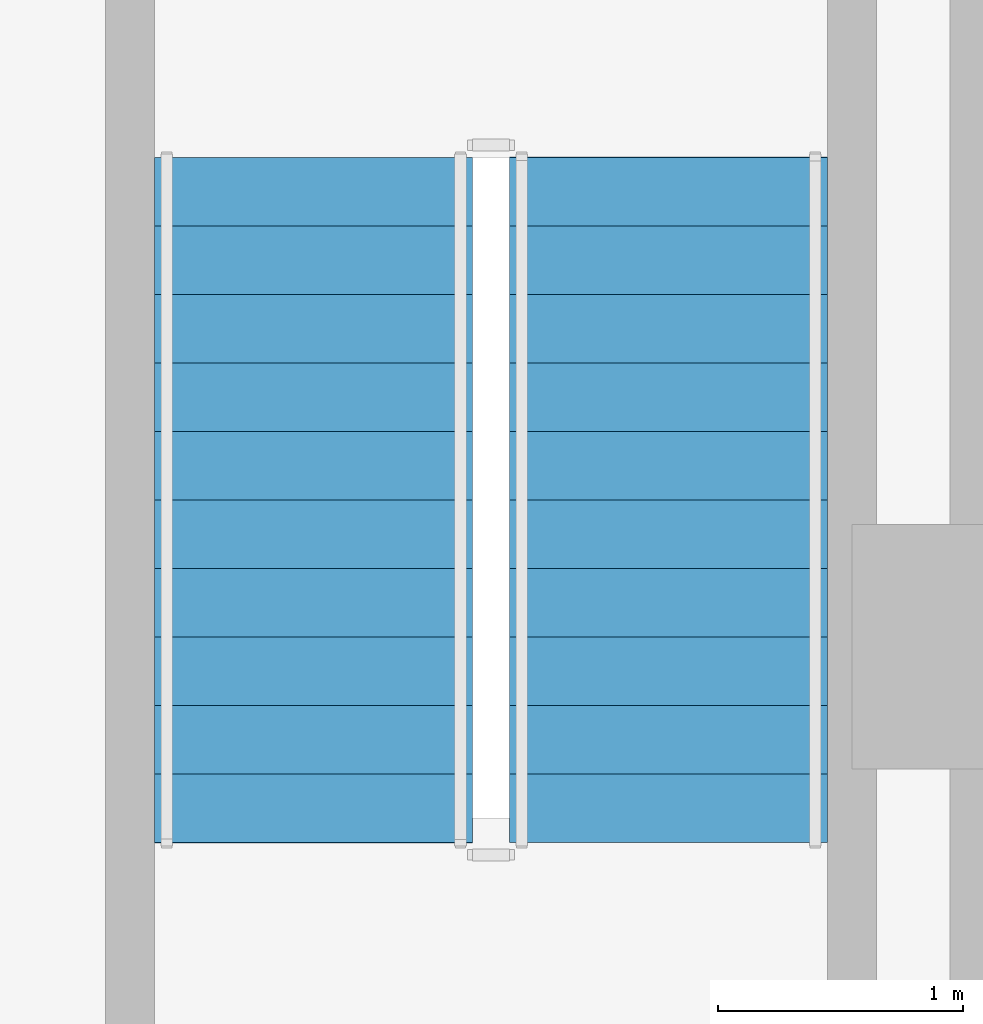
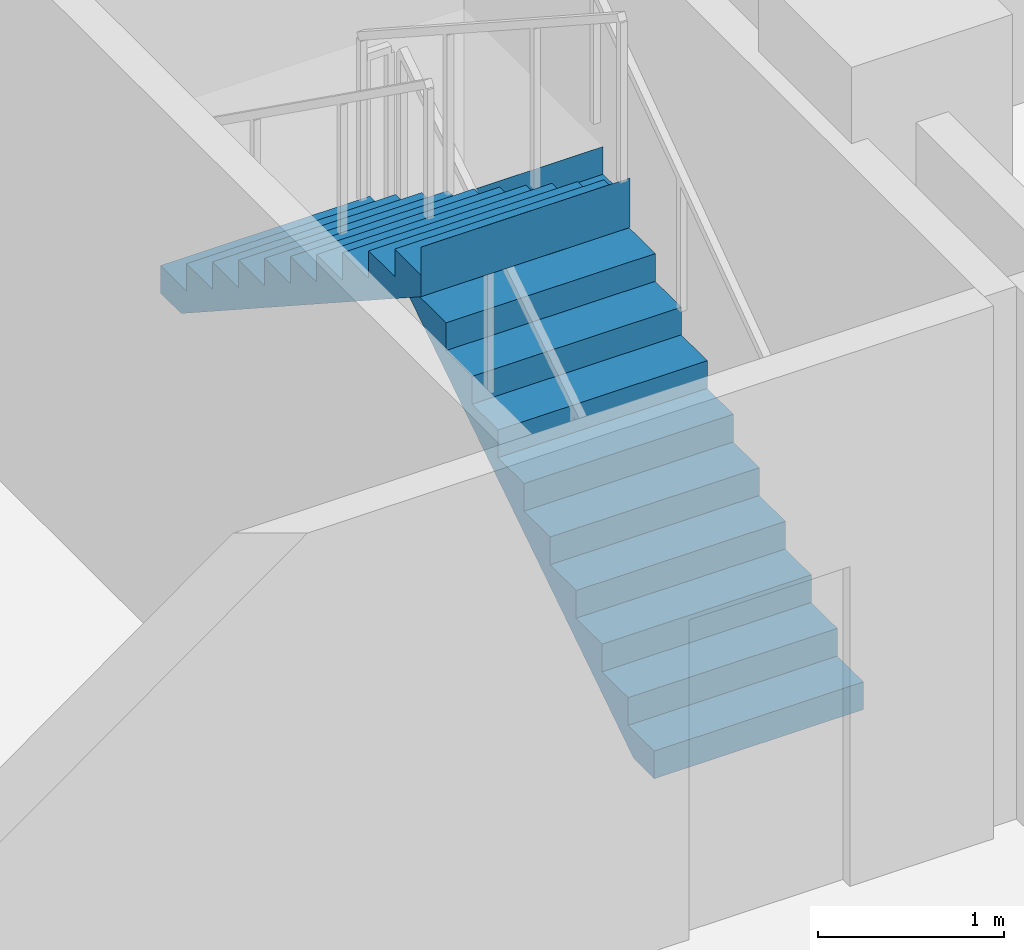
# One storey, part 38 of 45: 2 stair flights, 1 element without a shape of its own.
"""IFC4 building model written with IfcOpenShell, lengths in metres."""

from ifc_helpers import new_model, si_unit, direction, frame, origin, place, context, subcontext, project, spatial, triangles, material, type_object, element, aggregate, save


model = new_model("IFC4")

# Units and contexts
model_context = context("Model", 3, precision=1e-05, world=origin(), true_north=direction((0.0, 1.0)))
body_context = subcontext(model_context, "Body", "Model", "MODEL_VIEW")
ifc_project = project(units=[si_unit("LENGTHUNIT", "METRE"), si_unit("AREAUNIT", "SQUARE_METRE"), si_unit("VOLUMEUNIT", "CUBIC_METRE"), si_unit("PLANEANGLEUNIT", "RADIAN"), si_unit("MASSUNIT", "GRAM", prefix="KILO")], contexts=[model_context])

# Site, building, storey
site_placement = place(None, origin())
site = spatial("IfcSite", under=ifc_project, at=site_placement, CompositionType="ELEMENT")
building_placement = place(site_placement, origin())
building = spatial("IfcBuilding", under=site, at=building_placement, Name="Beryl Residences", CompositionType="ELEMENT")
storey_placement = place(building_placement, frame((0.0, 0.0, 5.0)))
storey = spatial("IfcBuildingStorey", under=building, at=storey_placement, Name="L01", CompositionType="ELEMENT", Elevation=5.0)

# Stair, stair flights
ifc_material_1 = material(Name="Concrete C40/50", Category="concrete")
stair_type = type_object("IfcStairType", Name="ST1 protected exit stair, half-turn, 1300 mm flights", PredefinedType="HALF_TURN_STAIR", material=ifc_material_1)
stair_placement = place(storey_placement, origin())
stair = element("IfcStair", 1, at=stair_placement, inside=storey, type_object=stair_type, Name="L01 Podium exit stair 2", PredefinedType="HALF_TURN_STAIR")
ifc_material_2 = material(Name="Concrete C40/50", Category="concrete")
stair_flight_type = type_object("IfcStairFlightType", Name="SF1 stair flight 1300 mm", PredefinedType="STRAIGHT", material=ifc_material_2)
stair_flight_1_placement = place(storey_placement, frame((20.35009765625, 35.199951171875, 0.0), z_axis=(0.0, 0.0, 1.0), x_axis=(0.0, 1.0, 0.0)))
stair_flight_1 = element("IfcStairFlight", 2, at=stair_flight_1_placement, type_object=stair_flight_type, Name="PS-2 flight 1", NumberOfRisers=11, NumberOfTreads=10, PredefinedType="STRAIGHT", RiserHeight=0.181818182, TreadLength=0.28, context=body_context, shape_type="Tessellation", body=[
    triangles([(0.0, -0.64990234375, 0.0), (0.0, -0.324951171875, 0.0), (0.0, 0.0, 0.0), (0.0, 0.324951171875, 0.0), (0.0, 0.64990234375, 0.0), (0.0, -0.64990234375, 0.181884765625), (0.0, -0.324951171875, 0.181884765625), (0.0, 0.0, 0.181884765625), (0.0, 0.324951171875, 0.181884765625), (0.0, 0.64990234375, 0.181884765625), (0.280029296875, -0.64990234375, 0.181884765625), (0.280029296875, -0.324951171875, 0.181884765625), (0.280029296875, 0.0, 0.181884765625), (0.280029296875, 0.324951171875, 0.181884765625), (0.280029296875, 0.64990234375, 0.181884765625), (0.280029296875, -0.64990234375, 0.363525390625), (0.280029296875, -0.324951171875, 0.363525390625), (0.280029296875, 0.0, 0.363525390625), (0.280029296875, 0.324951171875, 0.363525390625), (0.280029296875, 0.64990234375, 0.363525390625), (0.56005859375, -0.64990234375, 0.363525390625), (0.56005859375, -0.324951171875, 0.363525390625), (0.56005859375, 0.0, 0.363525390625), (0.56005859375, 0.324951171875, 0.363525390625), (0.56005859375, 0.64990234375, 0.363525390625), (0.56005859375, -0.64990234375, 0.54541015625), (0.56005859375, -0.324951171875, 0.54541015625), (0.56005859375, 0.0, 0.54541015625), (0.56005859375, 0.324951171875, 0.54541015625), (0.56005859375, 0.64990234375, 0.54541015625), (0.840087890625, -0.64990234375, 0.54541015625), (0.840087890625, -0.324951171875, 0.54541015625), (0.840087890625, 0.0, 0.54541015625), (0.840087890625, 0.324951171875, 0.54541015625), (0.840087890625, 0.64990234375, 0.54541015625), (0.840087890625, -0.64990234375, 0.727294921875), (0.840087890625, -0.324951171875, 0.727294921875), (0.840087890625, 0.0, 0.727294921875), (0.840087890625, 0.324951171875, 0.727294921875), (0.840087890625, 0.64990234375, 0.727294921875), (1.1201171875, -0.64990234375, 0.727294921875), (1.1201171875, -0.324951171875, 0.727294921875), (1.1201171875, 0.0, 0.727294921875), (1.1201171875, 0.324951171875, 0.727294921875), (1.1201171875, 0.64990234375, 0.727294921875), (1.1201171875, -0.64990234375, 0.9091796875), (1.1201171875, -0.324951171875, 0.9091796875), (1.1201171875, 0.0, 0.9091796875), (1.1201171875, 0.324951171875, 0.9091796875), (1.1201171875, 0.64990234375, 0.9091796875), (1.39990234375, -0.64990234375, 0.9091796875), (1.39990234375, -0.324951171875, 0.9091796875), (1.39990234375, 0.0, 0.9091796875), (1.39990234375, 0.324951171875, 0.9091796875), (1.39990234375, 0.64990234375, 0.9091796875), (1.39990234375, -0.64990234375, 1.0908203125), (1.39990234375, -0.324951171875, 1.0908203125), (1.39990234375, 0.0, 1.0908203125), (1.39990234375, 0.324951171875, 1.0908203125), (1.39990234375, 0.64990234375, 1.0908203125), (1.679931640625, -0.64990234375, 1.0908203125), (1.679931640625, -0.324951171875, 1.0908203125), (1.679931640625, 0.0, 1.0908203125), (1.679931640625, 0.324951171875, 1.0908203125), (1.679931640625, 0.64990234375, 1.0908203125), (1.679931640625, -0.64990234375, 1.272705078125), (1.679931640625, -0.324951171875, 1.272705078125), (1.679931640625, 0.0, 1.272705078125), (1.679931640625, 0.324951171875, 1.272705078125), (1.679931640625, 0.64990234375, 1.272705078125), (1.9599609375, -0.64990234375, 1.272705078125), (1.9599609375, -0.324951171875, 1.272705078125), (1.9599609375, 0.0, 1.272705078125), (1.9599609375, 0.324951171875, 1.272705078125), (1.9599609375, 0.64990234375, 1.272705078125), (1.9599609375, -0.64990234375, 1.45458984375), (1.9599609375, -0.324951171875, 1.45458984375), (1.9599609375, 0.0, 1.45458984375), (1.9599609375, 0.324951171875, 1.45458984375), (1.9599609375, 0.64990234375, 1.45458984375), (2.239990234375, -0.64990234375, 1.45458984375), (2.239990234375, -0.324951171875, 1.45458984375), (2.239990234375, 0.0, 1.45458984375), (2.239990234375, 0.324951171875, 1.45458984375), (2.239990234375, 0.64990234375, 1.45458984375), (2.239990234375, -0.64990234375, 1.636474609375), (2.239990234375, -0.324951171875, 1.636474609375), (2.239990234375, 0.0, 1.636474609375), (2.239990234375, 0.324951171875, 1.636474609375), (2.239990234375, 0.64990234375, 1.636474609375), (2.52001953125, -0.64990234375, 1.636474609375), (2.52001953125, -0.324951171875, 1.636474609375), (2.52001953125, 0.0, 1.636474609375), (2.52001953125, 0.324951171875, 1.636474609375), (2.52001953125, 0.64990234375, 1.636474609375), (2.52001953125, -0.64990234375, 1.818115234375), (2.52001953125, -0.324951171875, 1.818115234375), (2.52001953125, 0.0, 1.818115234375), (2.52001953125, 0.324951171875, 1.818115234375), (2.52001953125, 0.64990234375, 1.818115234375), (2.800048828125, -0.64990234375, 1.818115234375), (2.800048828125, -0.324951171875, 1.818115234375), (2.800048828125, 0.0, 1.818115234375), (2.800048828125, 0.324951171875, 1.818115234375), (2.800048828125, 0.64990234375, 1.818115234375), (2.800048828125, -0.64990234375, 2.0), (2.800048828125, -0.324951171875, 2.0), (2.800048828125, 0.0, 2.0), (2.800048828125, 0.324951171875, 2.0), (2.800048828125, 0.64990234375, 2.0), (2.801025390625, -0.64990234375, 2.0), (2.801025390625, -0.324951171875, 2.0), (2.801025390625, 0.0, 2.0), (2.801025390625, 0.324951171875, 2.0), (2.801025390625, 0.64990234375, 2.0), (2.801025390625, -0.64990234375, 1.675048828125), (2.801025390625, -0.324951171875, 1.675048828125), (2.801025390625, 0.0, 1.675048828125), (2.801025390625, 0.324951171875, 1.675048828125), (2.801025390625, 0.64990234375, 1.675048828125), (0.221435546875, -0.64990234375, 0.0), (0.221435546875, -0.324951171875, 0.0), (0.221435546875, 0.0, 0.0), (0.221435546875, 0.324951171875, 0.0), (0.221435546875, 0.64990234375, 0.0)], [[1, 6, 7], [1, 7, 2], [2, 7, 8], [2, 8, 3], [3, 8, 9], [3, 9, 4], [4, 9, 10], [4, 10, 5], [6, 11, 12], [6, 12, 7], [7, 12, 13], [7, 13, 8], [8, 13, 14], [8, 14, 9], [9, 14, 15], [9, 15, 10], [11, 16, 17], [11, 17, 12], [12, 17, 18], [12, 18, 13], [13, 18, 19], [13, 19, 14], [14, 19, 20], [14, 20, 15], [16, 21, 22], [16, 22, 17], [17, 22, 23], [17, 23, 18], [18, 23, 24], [18, 24, 19], [19, 24, 25], [19, 25, 20], [21, 26, 27], [21, 27, 22], [22, 27, 28], [22, 28, 23], [23, 28, 29], [23, 29, 24], [24, 29, 30], [24, 30, 25], [26, 31, 32], [26, 32, 27], [27, 32, 33], [27, 33, 28], [28, 33, 34], [28, 34, 29], [29, 34, 35], [29, 35, 30], [31, 36, 37], [31, 37, 32], [32, 37, 38], [32, 38, 33], [33, 38, 39], [33, 39, 34], [34, 39, 40], [34, 40, 35], [36, 41, 42], [36, 42, 37], [37, 42, 43], [37, 43, 38], [38, 43, 44], [38, 44, 39], [39, 44, 45], [39, 45, 40], [41, 46, 47], [41, 47, 42], [42, 47, 48], [42, 48, 43], [43, 48, 49], [43, 49, 44], [44, 49, 50], [44, 50, 45], [46, 51, 52], [46, 52, 47], [47, 52, 53], [47, 53, 48], [48, 53, 54], [48, 54, 49], [49, 54, 55], [49, 55, 50], [51, 56, 57], [51, 57, 52], [52, 57, 58], [52, 58, 53], [53, 58, 59], [53, 59, 54], [54, 59, 60], [54, 60, 55], [56, 61, 62], [56, 62, 57], [57, 62, 63], [57, 63, 58], [58, 63, 64], [58, 64, 59], [59, 64, 65], [59, 65, 60], [61, 66, 67], [61, 67, 62], [62, 67, 68], [62, 68, 63], [63, 68, 69], [63, 69, 64], [64, 69, 70], [64, 70, 65], [66, 71, 72], [66, 72, 67], [67, 72, 73], [67, 73, 68], [68, 73, 74], [68, 74, 69], [69, 74, 75], [69, 75, 70], [71, 76, 77], [71, 77, 72], [72, 77, 78], [72, 78, 73], [73, 78, 79], [73, 79, 74], [74, 79, 80], [74, 80, 75], [76, 81, 82], [76, 82, 77], [77, 82, 83], [77, 83, 78], [78, 83, 84], [78, 84, 79], [79, 84, 85], [79, 85, 80], [81, 86, 87], [81, 87, 82], [82, 87, 88], [82, 88, 83], [83, 88, 89], [83, 89, 84], [84, 89, 90], [84, 90, 85], [86, 91, 92], [86, 92, 87], [87, 92, 93], [87, 93, 88], [88, 93, 94], [88, 94, 89], [89, 94, 95], [89, 95, 90], [91, 96, 97], [91, 97, 92], [92, 97, 98], [92, 98, 93], [93, 98, 99], [93, 99, 94], [94, 99, 100], [94, 100, 95], [96, 101, 102], [96, 102, 97], [97, 102, 103], [97, 103, 98], [98, 103, 104], [98, 104, 99], [99, 104, 105], [99, 105, 100], [101, 106, 107], [101, 107, 102], [102, 107, 108], [102, 108, 103], [103, 108, 109], [103, 109, 104], [104, 109, 110], [104, 110, 105], [106, 111, 112], [106, 112, 107], [107, 112, 113], [107, 113, 108], [108, 113, 114], [108, 114, 109], [109, 114, 115], [109, 115, 110], [111, 116, 117], [111, 117, 112], [112, 117, 118], [112, 118, 113], [113, 118, 119], [113, 119, 114], [114, 119, 120], [114, 120, 115], [116, 121, 122], [116, 122, 117], [117, 122, 123], [117, 123, 118], [118, 123, 124], [118, 124, 119], [119, 124, 125], [119, 125, 120], [121, 1, 2], [121, 2, 122], [122, 2, 3], [122, 3, 123], [123, 3, 4], [123, 4, 124], [124, 4, 5], [124, 5, 125], [1, 121, 116], [5, 120, 125], [116, 111, 106], [120, 110, 115], [116, 106, 101], [120, 105, 110], [116, 101, 96], [120, 100, 105], [116, 96, 91], [120, 95, 100], [91, 86, 81], [95, 85, 90], [116, 91, 81], [120, 85, 95], [81, 76, 71], [85, 75, 80], [116, 81, 71], [120, 75, 85], [71, 66, 61], [75, 65, 70], [116, 71, 61], [120, 65, 75], [61, 56, 51], [65, 55, 60], [116, 61, 51], [120, 55, 65], [51, 46, 41], [55, 45, 50], [116, 51, 41], [120, 45, 55], [41, 36, 31], [45, 35, 40], [116, 41, 31], [120, 35, 45], [31, 26, 21], [35, 25, 30], [116, 31, 21], [120, 25, 35], [1, 116, 21], [5, 25, 120], [21, 16, 11], [25, 15, 20], [1, 21, 11], [5, 15, 25], [11, 6, 1], [15, 5, 10]], closed=True),
])
stair_flight_2_placement = place(storey_placement, frame((18.89990234375, 38.0, 2.0), z_axis=(0.0, 0.0, 1.0), x_axis=(0.0, -1.0, 0.0)))
stair_flight_2 = element("IfcStairFlight", 3, at=stair_flight_2_placement, type_object=stair_flight_type, Name="PS-2 flight 2", NumberOfRisers=11, NumberOfTreads=10, PredefinedType="STRAIGHT", RiserHeight=0.181818182, TreadLength=0.28, context=body_context, shape_type="Tessellation", body=[
    triangles([(0.0, -0.64990234375, 0.0), (0.0, -0.324951171875, 0.0), (0.0, 0.0, 0.0), (0.0, 0.324951171875, 0.0), (0.0, 0.64990234375, 0.0), (0.0, -0.64990234375, 0.181884765625), (0.0, -0.324951171875, 0.181884765625), (0.0, 0.0, 0.181884765625), (0.0, 0.324951171875, 0.181884765625), (0.0, 0.64990234375, 0.181884765625), (0.280029296875, -0.64990234375, 0.181884765625), (0.280029296875, -0.324951171875, 0.181884765625), (0.280029296875, 0.0, 0.181884765625), (0.280029296875, 0.324951171875, 0.181884765625), (0.280029296875, 0.64990234375, 0.181884765625), (0.280029296875, -0.64990234375, 0.363525390625), (0.280029296875, -0.324951171875, 0.363525390625), (0.280029296875, 0.0, 0.363525390625), (0.280029296875, 0.324951171875, 0.363525390625), (0.280029296875, 0.64990234375, 0.363525390625), (0.56005859375, -0.64990234375, 0.363525390625), (0.56005859375, -0.324951171875, 0.363525390625), (0.56005859375, 0.0, 0.363525390625), (0.56005859375, 0.324951171875, 0.363525390625), (0.56005859375, 0.64990234375, 0.363525390625), (0.56005859375, -0.64990234375, 0.54541015625), (0.56005859375, -0.324951171875, 0.54541015625), (0.56005859375, 0.0, 0.54541015625), (0.56005859375, 0.324951171875, 0.54541015625), (0.56005859375, 0.64990234375, 0.54541015625), (0.840087890625, -0.64990234375, 0.54541015625), (0.840087890625, -0.324951171875, 0.54541015625), (0.840087890625, 0.0, 0.54541015625), (0.840087890625, 0.324951171875, 0.54541015625), (0.840087890625, 0.64990234375, 0.54541015625), (0.840087890625, -0.64990234375, 0.727294921875), (0.840087890625, -0.324951171875, 0.727294921875), (0.840087890625, 0.0, 0.727294921875), (0.840087890625, 0.324951171875, 0.727294921875), (0.840087890625, 0.64990234375, 0.727294921875), (1.1201171875, -0.64990234375, 0.727294921875), (1.1201171875, -0.324951171875, 0.727294921875), (1.1201171875, 0.0, 0.727294921875), (1.1201171875, 0.324951171875, 0.727294921875), (1.1201171875, 0.64990234375, 0.727294921875), (1.1201171875, -0.64990234375, 0.9091796875), (1.1201171875, -0.324951171875, 0.9091796875), (1.1201171875, 0.0, 0.9091796875), (1.1201171875, 0.324951171875, 0.9091796875), (1.1201171875, 0.64990234375, 0.9091796875), (1.39990234375, -0.64990234375, 0.9091796875), (1.39990234375, -0.324951171875, 0.9091796875), (1.39990234375, 0.0, 0.9091796875), (1.39990234375, 0.324951171875, 0.9091796875), (1.39990234375, 0.64990234375, 0.9091796875), (1.39990234375, -0.64990234375, 1.0908203125), (1.39990234375, -0.324951171875, 1.0908203125), (1.39990234375, 0.0, 1.0908203125), (1.39990234375, 0.324951171875, 1.0908203125), (1.39990234375, 0.64990234375, 1.0908203125), (1.679931640625, -0.64990234375, 1.0908203125), (1.679931640625, -0.324951171875, 1.0908203125), (1.679931640625, 0.0, 1.0908203125), (1.679931640625, 0.324951171875, 1.0908203125), (1.679931640625, 0.64990234375, 1.0908203125), (1.679931640625, -0.64990234375, 1.272705078125), (1.679931640625, -0.324951171875, 1.272705078125), (1.679931640625, 0.0, 1.272705078125), (1.679931640625, 0.324951171875, 1.272705078125), (1.679931640625, 0.64990234375, 1.272705078125), (1.9599609375, -0.64990234375, 1.272705078125), (1.9599609375, -0.324951171875, 1.272705078125), (1.9599609375, 0.0, 1.272705078125), (1.9599609375, 0.324951171875, 1.272705078125), (1.9599609375, 0.64990234375, 1.272705078125), (1.9599609375, -0.64990234375, 1.45458984375), (1.9599609375, -0.324951171875, 1.45458984375), (1.9599609375, 0.0, 1.45458984375), (1.9599609375, 0.324951171875, 1.45458984375), (1.9599609375, 0.64990234375, 1.45458984375), (2.239990234375, -0.64990234375, 1.45458984375), (2.239990234375, -0.324951171875, 1.45458984375), (2.239990234375, 0.0, 1.45458984375), (2.239990234375, 0.324951171875, 1.45458984375), (2.239990234375, 0.64990234375, 1.45458984375), (2.239990234375, -0.64990234375, 1.636474609375), (2.239990234375, -0.324951171875, 1.636474609375), (2.239990234375, 0.0, 1.636474609375), (2.239990234375, 0.324951171875, 1.636474609375), (2.239990234375, 0.64990234375, 1.636474609375), (2.52001953125, -0.64990234375, 1.636474609375), (2.52001953125, -0.324951171875, 1.636474609375), (2.52001953125, 0.0, 1.636474609375), (2.52001953125, 0.324951171875, 1.636474609375), (2.52001953125, 0.64990234375, 1.636474609375), (2.52001953125, -0.64990234375, 1.818115234375), (2.52001953125, -0.324951171875, 1.818115234375), (2.52001953125, 0.0, 1.818115234375), (2.52001953125, 0.324951171875, 1.818115234375), (2.52001953125, 0.64990234375, 1.818115234375), (2.800048828125, -0.64990234375, 1.818115234375), (2.800048828125, -0.324951171875, 1.818115234375), (2.800048828125, 0.0, 1.818115234375), (2.800048828125, 0.324951171875, 1.818115234375), (2.800048828125, 0.64990234375, 1.818115234375), (2.800048828125, -0.64990234375, 2.0), (2.800048828125, -0.324951171875, 2.0), (2.800048828125, 0.0, 2.0), (2.800048828125, 0.324951171875, 2.0), (2.800048828125, 0.64990234375, 2.0), (2.801025390625, -0.64990234375, 2.0), (2.801025390625, -0.324951171875, 2.0), (2.801025390625, 0.0, 2.0), (2.801025390625, 0.324951171875, 2.0), (2.801025390625, 0.64990234375, 2.0), (2.801025390625, -0.64990234375, 1.675048828125), (2.801025390625, -0.324951171875, 1.675048828125), (2.801025390625, 0.0, 1.675048828125), (2.801025390625, 0.324951171875, 1.675048828125), (2.801025390625, 0.64990234375, 1.675048828125), (0.221435546875, -0.64990234375, 0.0), (0.221435546875, -0.324951171875, 0.0), (0.221435546875, 0.0, 0.0), (0.221435546875, 0.324951171875, 0.0), (0.221435546875, 0.64990234375, 0.0)], [[1, 6, 7], [1, 7, 2], [2, 7, 8], [2, 8, 3], [3, 8, 9], [3, 9, 4], [4, 9, 10], [4, 10, 5], [6, 11, 12], [6, 12, 7], [7, 12, 13], [7, 13, 8], [8, 13, 14], [8, 14, 9], [9, 14, 15], [9, 15, 10], [11, 16, 17], [11, 17, 12], [12, 17, 18], [12, 18, 13], [13, 18, 19], [13, 19, 14], [14, 19, 20], [14, 20, 15], [16, 21, 22], [16, 22, 17], [17, 22, 23], [17, 23, 18], [18, 23, 24], [18, 24, 19], [19, 24, 25], [19, 25, 20], [21, 26, 27], [21, 27, 22], [22, 27, 28], [22, 28, 23], [23, 28, 29], [23, 29, 24], [24, 29, 30], [24, 30, 25], [26, 31, 32], [26, 32, 27], [27, 32, 33], [27, 33, 28], [28, 33, 34], [28, 34, 29], [29, 34, 35], [29, 35, 30], [31, 36, 37], [31, 37, 32], [32, 37, 38], [32, 38, 33], [33, 38, 39], [33, 39, 34], [34, 39, 40], [34, 40, 35], [36, 41, 42], [36, 42, 37], [37, 42, 43], [37, 43, 38], [38, 43, 44], [38, 44, 39], [39, 44, 45], [39, 45, 40], [41, 46, 47], [41, 47, 42], [42, 47, 48], [42, 48, 43], [43, 48, 49], [43, 49, 44], [44, 49, 50], [44, 50, 45], [46, 51, 52], [46, 52, 47], [47, 52, 53], [47, 53, 48], [48, 53, 54], [48, 54, 49], [49, 54, 55], [49, 55, 50], [51, 56, 57], [51, 57, 52], [52, 57, 58], [52, 58, 53], [53, 58, 59], [53, 59, 54], [54, 59, 60], [54, 60, 55], [56, 61, 62], [56, 62, 57], [57, 62, 63], [57, 63, 58], [58, 63, 64], [58, 64, 59], [59, 64, 65], [59, 65, 60], [61, 66, 67], [61, 67, 62], [62, 67, 68], [62, 68, 63], [63, 68, 69], [63, 69, 64], [64, 69, 70], [64, 70, 65], [66, 71, 72], [66, 72, 67], [67, 72, 73], [67, 73, 68], [68, 73, 74], [68, 74, 69], [69, 74, 75], [69, 75, 70], [71, 76, 77], [71, 77, 72], [72, 77, 78], [72, 78, 73], [73, 78, 79], [73, 79, 74], [74, 79, 80], [74, 80, 75], [76, 81, 82], [76, 82, 77], [77, 82, 83], [77, 83, 78], [78, 83, 84], [78, 84, 79], [79, 84, 85], [79, 85, 80], [81, 86, 87], [81, 87, 82], [82, 87, 88], [82, 88, 83], [83, 88, 89], [83, 89, 84], [84, 89, 90], [84, 90, 85], [86, 91, 92], [86, 92, 87], [87, 92, 93], [87, 93, 88], [88, 93, 94], [88, 94, 89], [89, 94, 95], [89, 95, 90], [91, 96, 97], [91, 97, 92], [92, 97, 98], [92, 98, 93], [93, 98, 99], [93, 99, 94], [94, 99, 100], [94, 100, 95], [96, 101, 102], [96, 102, 97], [97, 102, 103], [97, 103, 98], [98, 103, 104], [98, 104, 99], [99, 104, 105], [99, 105, 100], [101, 106, 107], [101, 107, 102], [102, 107, 108], [102, 108, 103], [103, 108, 109], [103, 109, 104], [104, 109, 110], [104, 110, 105], [106, 111, 112], [106, 112, 107], [107, 112, 113], [107, 113, 108], [108, 113, 114], [108, 114, 109], [109, 114, 115], [109, 115, 110], [111, 116, 117], [111, 117, 112], [112, 117, 118], [112, 118, 113], [113, 118, 119], [113, 119, 114], [114, 119, 120], [114, 120, 115], [116, 121, 122], [116, 122, 117], [117, 122, 123], [117, 123, 118], [118, 123, 124], [118, 124, 119], [119, 124, 125], [119, 125, 120], [121, 1, 2], [121, 2, 122], [122, 2, 3], [122, 3, 123], [123, 3, 4], [123, 4, 124], [124, 4, 5], [124, 5, 125], [1, 121, 116], [5, 120, 125], [116, 111, 106], [120, 110, 115], [116, 106, 101], [120, 105, 110], [116, 101, 96], [120, 100, 105], [116, 96, 91], [120, 95, 100], [91, 86, 81], [95, 85, 90], [116, 91, 81], [120, 85, 95], [81, 76, 71], [85, 75, 80], [116, 81, 71], [120, 75, 85], [71, 66, 61], [75, 65, 70], [116, 71, 61], [120, 65, 75], [61, 56, 51], [65, 55, 60], [116, 61, 51], [120, 55, 65], [51, 46, 41], [55, 45, 50], [116, 51, 41], [120, 45, 55], [41, 36, 31], [45, 35, 40], [116, 41, 31], [120, 35, 45], [31, 26, 21], [35, 25, 30], [116, 31, 21], [120, 25, 35], [1, 116, 21], [5, 25, 120], [21, 16, 11], [25, 15, 20], [1, 21, 11], [5, 15, 25], [11, 6, 1], [15, 5, 10]], closed=True),
])
aggregate(stair, [stair_flight_1, stair_flight_2])

save(model, "model.ifc")
